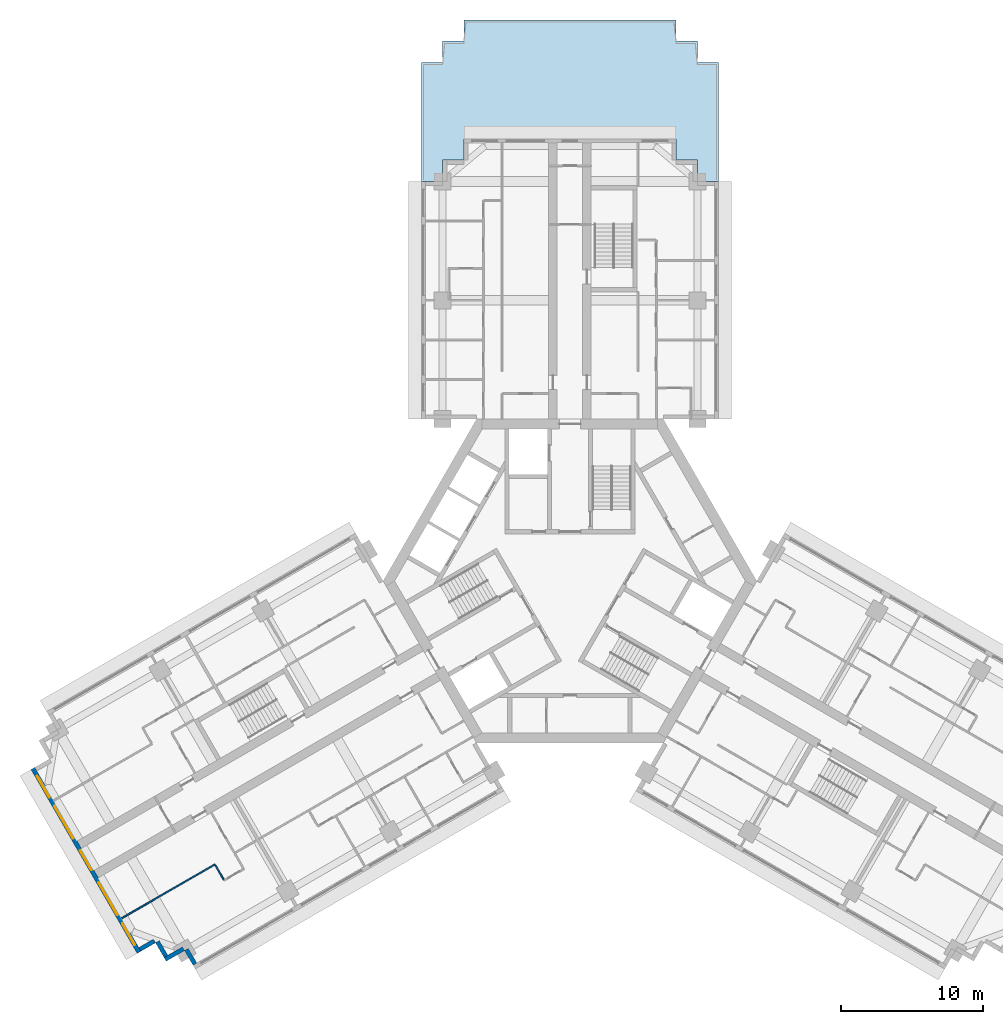
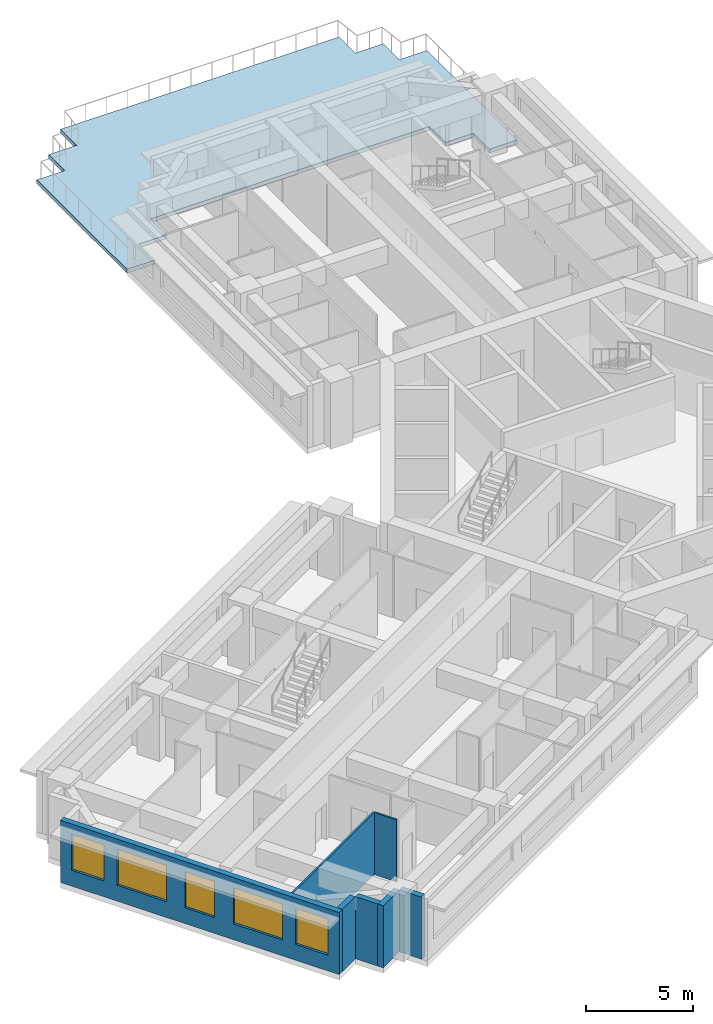
# One storey, part 2 of 12: 7 walls, 5 windows, 1 slab, 5 openings.
"""IFC4 building model written with IfcOpenShell, lengths in metres."""

import ifcopenshell
import ifcopenshell.guid

model = None  # the IFC model being written
_history = None  # IfcOwnerHistory: only IFC2X3 demands one
_inside = {}  # id of a spatial element -> (the spatial element, [elements in it])
_under = {}  # id of a project, library or spatial element -> (it, [spatial elements below it])
_declared = {}  # id of a project -> (the project, [libraries it declares])
_typed = {}  # id of a type object -> (the type object, [elements of that type])
_made_of = {}  # id of a material, layer set ... -> (it, [elements and type objects made of it])


def new_model(schema):
    """Start an empty IFC model of exactly this schema.

    Asked for "IFC4X3", IfcOpenShell would pick the latest addendum, in which some entities
    have other attributes; the version numbers below select the first issue.
    IFC2X3 requires an IfcOwnerHistory on every rooted entity: one is made here for all.
    """
    global model, _history
    if schema == "IFC4X3":
        model = ifcopenshell.file(schema_version=(4, 3, 0, 0))
    else:
        model = ifcopenshell.file(schema=schema)
    _inside.clear()
    _under.clear()
    _declared.clear()
    _typed.clear()
    _made_of.clear()
    _history = None
    if model.schema == "IFC2X3":
        org = make("IfcOrganization", Name="unknown")
        user = make(
            "IfcPersonAndOrganization",
            ThePerson=make("IfcPerson", FamilyName="unknown"),
            TheOrganization=org,
        )
        app = make(
            "IfcApplication",
            ApplicationDeveloper=org,
            Version="unknown",
            ApplicationFullName="unknown",
            ApplicationIdentifier="unknown",
        )
        _history = make(
            "IfcOwnerHistory",
            OwningUser=user,
            OwningApplication=app,
            ChangeAction="ADDED",
            CreationDate=0,
        )
    return model


def make(cls, **values):
    """One entity of the class cls with the attributes given. An attribute that is None is left unset."""
    return model.create_entity(
        cls, **{name: value for name, value in values.items() if value is not None}
    )


def rooted(cls, **values):
    """An entity with a GlobalId (a new one), such as an element, a storey or a relation."""
    return make(cls, GlobalId=ifcopenshell.guid.new(), OwnerHistory=_history, **values)


def si_unit(unit_type, name, prefix=None):
    """IfcSIUnit, for example si_unit("LENGTHUNIT", "METRE", prefix="MILLI")."""
    return make("IfcSIUnit", UnitType=unit_type, Prefix=prefix, Name=name)


def assignment(units):
    """IfcUnitAssignment: the units of a project."""
    return None if units is None else make("IfcUnitAssignment", Units=units)


def point(xyz):
    """IfcCartesianPoint."""
    return None if xyz is None else make("IfcCartesianPoint", Coordinates=xyz)


def direction(xyz):
    """IfcDirection."""
    return None if xyz is None else make("IfcDirection", DirectionRatios=xyz)


def frame(location, z_axis=None, x_axis=None):
    """IfcAxis2Placement3D, a coordinate frame: its origin and axes. An axis left out is left unset."""
    return make(
        "IfcAxis2Placement3D",
        Location=point(location),
        Axis=direction(z_axis),
        RefDirection=direction(x_axis),
    )


def frame_2d(location, x_axis=None):
    """IfcAxis2Placement2D, a coordinate frame in the plane: its origin and x axis."""
    return make(
        "IfcAxis2Placement2D", Location=point(location), RefDirection=direction(x_axis)
    )


def origin():
    """The frame at (0, 0, 0) with its axes left unset."""
    return frame((0.0, 0.0, 0.0))


def place(relative_to, where):
    """IfcLocalPlacement: puts the frame where relative to a parent placement (None: the world)."""
    return make(
        "IfcLocalPlacement", PlacementRelTo=relative_to, RelativePlacement=where
    )


def context(
    kind, dimensions, precision=None, world=None, true_north=None, identifier=None
):
    """IfcGeometricRepresentationContext, for example the 3D "Model" context."""
    return make(
        "IfcGeometricRepresentationContext",
        ContextIdentifier=identifier,
        ContextType=kind,
        CoordinateSpaceDimension=dimensions,
        Precision=precision,
        WorldCoordinateSystem=world,
        TrueNorth=true_north,
    )


def subcontext(parent, identifier, kind, view, scale=None):
    """IfcGeometricRepresentationSubContext, for example "Body" below "Model"."""
    return make(
        "IfcGeometricRepresentationSubContext",
        ContextIdentifier=identifier,
        ContextType=kind,
        ParentContext=parent,
        TargetScale=scale,
        TargetView=view,
    )


def project(units=None, contexts=None):
    """IfcProject with its units and contexts."""
    return rooted(
        "IfcProject",
        Name="project",
        RepresentationContexts=contexts,
        UnitsInContext=assignment(units),
    )


def spatial(cls, under=None, at=None, **own):
    """A site, building, storey or space (cls), placed at a placement, below another one or the project."""
    s = rooted(cls, ObjectPlacement=at, **own)
    if under is not None:
        _under.setdefault(under.id(), (under, []))[1].append(s)
    return s


def polyline(points):
    """IfcPolyline through the points."""
    return make("IfcPolyline", Points=[point(p) for p in points])


def profile(cls, at=None, kind="AREA", **sizes):
    """A parametric profile (cls). Its sizes go by their IFC names, for example OverallWidth=200.0."""
    return make(cls, ProfileType=kind, Position=at, **sizes)


def rectangle(**sizes):
    """IfcRectangleProfileDef."""
    return profile("IfcRectangleProfileDef", **sizes)


def outline(outer, holes=None, kind="AREA"):
    """IfcArbitraryClosedProfileDef: a profile drawn as a closed curve; with holes, ...WithVoids."""
    if holes is None:
        return make("IfcArbitraryClosedProfileDef", ProfileType=kind, OuterCurve=outer)
    return make(
        "IfcArbitraryProfileDefWithVoids",
        ProfileType=kind,
        OuterCurve=outer,
        InnerCurves=holes,
    )


def extrude(swept, where, along, depth):
    """IfcExtrudedAreaSolid: the profile swept, set in the frame where, extruded along a direction by depth."""
    return make(
        "IfcExtrudedAreaSolid",
        SweptArea=swept,
        Position=where,
        ExtrudedDirection=direction(along),
        Depth=depth,
    )


def shape(context_of_items, identifier, shape_type, items):
    """IfcShapeRepresentation: the items that make up one representation, for example the "Body"."""
    return make(
        "IfcShapeRepresentation",
        ContextOfItems=context_of_items,
        RepresentationIdentifier=identifier,
        RepresentationType=shape_type,
        Items=items,
    )


def material(Name=None, Category=None):
    """IfcMaterial."""
    return make("IfcMaterial", Name=Name, Category=Category)


def layer(
    of_material, thickness, ventilated=None, Name=None, Category=None, Priority=None
):
    """IfcMaterialLayer: one layer of a wall or slab, of a material (None: an air gap)."""
    return make(
        "IfcMaterialLayer",
        Material=of_material,
        LayerThickness=thickness,
        IsVentilated=ventilated,
        Name=Name,
        Category=Category,
        Priority=Priority,
    )


def layer_set(layers, Name=None):
    """IfcMaterialLayerSet."""
    return make("IfcMaterialLayerSet", MaterialLayers=layers, LayerSetName=Name)


def made_of(thing, what):
    """Note that an element or type object is made of a material, layer set ...; save() writes the relation."""
    if what is not None:
        _made_of.setdefault(what.id(), (what, []))[1].append(thing)
    return thing


def type_object(cls, material=None, **own):
    """A type object (cls), such as IfcWallType, which elements share."""
    return made_of(rooted(cls, **own), material)


def element(
    cls,
    number,
    at=None,
    inside=None,
    cuts=None,
    type_object=None,
    material=None,
    context=None,
    identifier="Body",
    shape_type=None,
    held_by="IfcProductDefinitionShape",
    body=None,
    shapes=None,
    **own,
):
    """One element of the class cls, such as IfcWall. Its Tag is "e" and its number.

    at: its placement. inside: the storey or other place that contains it. cuts: it is an
    opening in that element (IfcRelVoidsElement). A single representation is given by context,
    identifier, shape_type and body (its items); several are given by shapes. held_by: the class
    of the entity that holds the representations. save() writes the other relations.
    """
    e = rooted(cls, Tag="e%d" % number, ObjectPlacement=at, **own)
    if body is not None:
        shapes = [shape(context, identifier, shape_type, body)]
    if shapes is not None:
        e.Representation = make(held_by, Representations=shapes)
    if inside is not None:
        _inside.setdefault(inside.id(), (inside, []))[1].append(e)
    if cuts is not None:
        rooted(
            "IfcRelVoidsElement", RelatingBuildingElement=cuts, RelatedOpeningElement=e
        )
    if type_object is not None:
        _typed.setdefault(type_object.id(), (type_object, []))[1].append(e)
    return made_of(e, material)


def fill(opening, filler):
    """IfcRelFillsElement: the door or window that sits in an opening."""
    return rooted(
        "IfcRelFillsElement",
        RelatingOpeningElement=opening,
        RelatedBuildingElement=filler,
    )


def aggregate(whole, parts):
    """IfcRelAggregates: a whole, such as a stair, and the parts it consists of."""
    return rooted("IfcRelAggregates", RelatingObject=whole, RelatedObjects=parts)


def save(model, path):
    """Write the relations noted so far, then the file.

    IfcRelAggregates (storeys below a building ...), IfcRelContainedInSpatialStructure (elements
    in a storey), IfcRelDefinesByType, IfcRelAssociatesMaterial and IfcRelDeclares: one each for
    every whole, place, type object, material and project.
    """
    for whole, parts in _under.values():
        aggregate(whole, parts)
    for where, things in _inside.values():
        rooted(
            "IfcRelContainedInSpatialStructure",
            RelatedElements=things,
            RelatingStructure=where,
        )
    for kind, things in _typed.values():
        rooted("IfcRelDefinesByType", RelatedObjects=things, RelatingType=kind)
    for what, things in _made_of.values():
        rooted("IfcRelAssociatesMaterial", RelatedObjects=things, RelatingMaterial=what)
    for by, libraries in _declared.values():
        rooted("IfcRelDeclares", RelatingContext=by, RelatedDefinitions=libraries)
    model.write(path)


model = new_model("IFC4")

# Units and contexts
model_context = context("Model", 3, precision=1e-05, world=origin(), true_north=direction((0.0, 1.0)))
body_context = subcontext(model_context, "Body", "Model", "MODEL_VIEW")
ifc_project = project(units=[si_unit("LENGTHUNIT", "METRE"), si_unit("AREAUNIT", "SQUARE_METRE"), si_unit("VOLUMEUNIT", "CUBIC_METRE"), si_unit("PLANEANGLEUNIT", "RADIAN"), si_unit("MASSUNIT", "GRAM", prefix="KILO")], contexts=[model_context])

# Site, building, storey
site_placement = place(None, origin())
site = spatial("IfcSite", under=ifc_project, at=site_placement, CompositionType="ELEMENT")
building_placement = place(site_placement, origin())
building = spatial("IfcBuilding", under=site, at=building_placement, Name="Impinga Residences", CompositionType="ELEMENT")
storey_placement = place(building_placement, frame((0.0, 0.0, 188.5)))
storey = spatial("IfcBuildingStorey", under=building, at=storey_placement, Name="L46", CompositionType="ELEMENT", Elevation=188.5)

# Slab
ifc_material_1 = material(Name="Concrete C60/75", Category="concrete")
ifc_layer_1 = layer(ifc_material_1, 0.219970703125)
ifc_layer_set_1 = layer_set([ifc_layer_1], Name="Concrete C60/75")
slab_type = type_object("IfcSlabType", Name="TS2 setback terrace slab 220", PredefinedType="ROOF", material=ifc_layer_set_1)
slab_placement = place(storey_placement, frame((0.0, 0.0, -0.219970703125)))
element("IfcSlab", 1, at=slab_placement, inside=storey, type_object=slab_type, Name="Maintenance roof TS2 L46", PredefinedType="ROOF", context=body_context, shape_type="SweptSolid", body=[
    extrude(outline(polyline([(-10.5, 36.631591796875), (-9.0, 36.631591796875), (-9.0, 38.131591796875), (-7.5, 38.131591796875), (-7.5, 39.631591796875), (7.5, 39.631591796875), (7.5, 38.131591796875), (9.0, 38.131591796875), (9.0, 36.631591796875), (10.5, 36.631591796875), (10.5, 28.232421875), (9.0009765625, 28.232421875), (9.0009765625, 29.7314453125), (9.0009765625, 29.731689453125), (9.0009765625, 29.731689453125), (9.0009765625, 29.73193359375), (9.0009765625, 29.73193359375), (9.0009765625, 29.73193359375), (9.000732421875, 29.732177734375), (9.000732421875, 29.732177734375), (9.000732421875, 29.732177734375), (9.000732421875, 29.732421875), (9.00048828125, 29.732421875), (9.00048828125, 29.732421875), (9.00048828125, 29.732421875), (9.000244140625, 29.732421875), (9.000244140625, 29.732421875), (9.0, 29.732421875), (9.0, 29.732421875), (7.5009765625, 29.732421875), (7.5009765625, 31.2314453125), (7.5009765625, 31.231689453125), (7.5009765625, 31.231689453125), (7.5009765625, 31.23193359375), (7.5009765625, 31.23193359375), (7.5009765625, 31.23193359375), (7.500732421875, 31.232177734375), (7.500732421875, 31.232177734375), (7.500732421875, 31.232177734375), (7.500732421875, 31.232421875), (7.50048828125, 31.232421875), (7.50048828125, 31.232421875), (7.50048828125, 31.232421875), (7.500244140625, 31.232421875), (7.500244140625, 31.232421875), (7.5, 31.232421875), (7.5, 31.232421875), (-7.5, 31.232421875), (-7.5, 31.232421875), (-7.500244140625, 31.232421875), (-7.500244140625, 31.232421875), (-7.50048828125, 31.232421875), (-7.50048828125, 31.232421875), (-7.50048828125, 31.232421875), (-7.500732421875, 31.232421875), (-7.500732421875, 31.232177734375), (-7.500732421875, 31.232177734375), (-7.500732421875, 31.232177734375), (-7.5009765625, 31.23193359375), (-7.5009765625, 31.23193359375), (-7.5009765625, 31.23193359375), (-7.5009765625, 31.231689453125), (-7.5009765625, 31.231689453125), (-7.5009765625, 31.2314453125), (-7.5009765625, 29.732421875), (-9.0, 29.732421875), (-9.0, 29.732421875), (-9.000244140625, 29.732421875), (-9.000244140625, 29.732421875), (-9.00048828125, 29.732421875), (-9.00048828125, 29.732421875), (-9.00048828125, 29.732421875), (-9.000732421875, 29.732421875), (-9.000732421875, 29.732177734375), (-9.000732421875, 29.732177734375), (-9.000732421875, 29.732177734375), (-9.0009765625, 29.73193359375), (-9.0009765625, 29.73193359375), (-9.0009765625, 29.73193359375), (-9.0009765625, 29.731689453125), (-9.0009765625, 29.731689453125), (-9.0009765625, 29.7314453125), (-9.0009765625, 28.232421875), (-10.5, 28.232421875), (-10.5, 36.631591796875)])), origin(), (0.0, 0.0, 1.0), 0.219970703125),
])

# Walls
ifc_material_2 = material(Name="Terracotta rainscreen on blockwork", Category="masonry")
ifc_layer_2 = layer(ifc_material_2, 0.300048828125)
ifc_layer_set_2 = layer_set([ifc_layer_2], Name="EW1 external wall, terracotta rainscreen on blockwork 300")
wall_type_1 = type_object("IfcWallType", Name="EW1 external wall, terracotta rainscreen on blockwork 300", PredefinedType="SOLIDWALL", material=ifc_layer_set_2)
wall_1_placement = place(storey_placement, frame((-26.493896484375, -27.07421875, 0.0), z_axis=(0.0, 0.0, 1.0), x_axis=(-0.500033551112, 0.866006032174, 0.0)))
element("IfcWall", 2, at=wall_1_placement, inside=storey, type_object=wall_type_1, Name="External wall EW1 L46", PredefinedType="SOLIDWALL", context=body_context, shape_type="SweptSolid", body=[
    extrude(rectangle(XDim=1.2001953125, YDim=0.300048828125, at=frame_2d((0.60009765625, 0.0))), origin(), (0.0, 0.0, 1.0), 3.530029296875),
])
wall_2_placement = place(storey_placement, frame((-27.30322265625, -25.982666015625, 0.0), z_axis=(0.0, 0.0, 1.0), x_axis=(-0.866074087889, -0.499915667175, 0.0)))
element("IfcWall", 3, at=wall_2_placement, inside=storey, type_object=wall_type_1, Name="External wall EW1 L46", PredefinedType="SOLIDWALL", context=body_context, shape_type="SweptSolid", body=[
    extrude(rectangle(XDim=1.494873046875, YDim=0.300048828125, at=frame_2d((0.74755859375, 0.0))), origin(), (0.0, 0.0, 1.0), 3.530029296875),
])
wall_3_placement = place(storey_placement, frame((-28.54296875, -26.525146484375, 0.0), z_axis=(0.0, 0.0, 1.0), x_axis=(-0.500033551112, 0.866006032174, 0.0)))
element("IfcWall", 4, at=wall_3_placement, inside=storey, type_object=wall_type_1, Name="External wall EW1 L46", PredefinedType="SOLIDWALL", context=body_context, shape_type="SweptSolid", body=[
    extrude(rectangle(XDim=1.2001953125, YDim=0.300048828125, at=frame_2d((0.60009765625, 0.0))), origin(), (0.0, 0.0, 1.0), 3.530029296875),
])
wall_4_placement = place(storey_placement, frame((-29.352294921875, -25.43359375, 0.0), z_axis=(0.0, 0.0, 1.0), x_axis=(-0.866059708757, -0.499940577336, 0.0)))
element("IfcWall", 5, at=wall_4_placement, inside=storey, type_object=wall_type_1, Name="External wall EW1 L46", PredefinedType="SOLIDWALL", context=body_context, shape_type="SweptSolid", body=[
    extrude(rectangle(XDim=1.195068359375, YDim=0.300048828125, at=frame_2d((0.59765625, 0.0))), origin(), (0.0, 0.0, 1.0), 3.530029296875),
])

# Wall, openings, windows
wall_5_placement = place(storey_placement, frame((-30.44189453125, -26.23583984375, 0.0), z_axis=(0.0, 0.0, 1.0), x_axis=(-0.500004234368, 0.866022959057, 0.0)))
wall_5 = element("IfcWall", 6, at=wall_5_placement, inside=storey, type_object=wall_type_1, Name="External wall EW1 L46", PredefinedType="SOLIDWALL", context=body_context, shape_type="SweptSolid", body=[
    extrude(rectangle(XDim=14.999755859375, YDim=0.300048828125, at=frame_2d((7.5, 0.0))), origin(), (0.0, 0.0, 1.0), 3.530029296875),
])
opening_1_placement = place(wall_5_placement, frame((0.60009765625, 0.0, 0.89990234375)))
opening_1 = element("IfcOpeningElement", 7, at=opening_1_placement, cuts=wall_5, Name="Opening W1", PredefinedType="OPENING", context=body_context, shape_type="SweptSolid", body=[
    extrude(rectangle(XDim=1.75, YDim=2.050048828125, at=frame_2d((0.875, 1.02490234375))), frame((0.0, 0.159912109375, 0.0), z_axis=(0.0, -1.0, 0.0), x_axis=(1.0, 0.0, 0.0)), (0.0, 0.0, 1.0), 0.320068359375),
])
opening_2_placement = place(wall_5_placement, frame((3.050048828125, 0.0, 0.89990234375)))
opening_2 = element("IfcOpeningElement", 8, at=opening_2_placement, cuts=wall_5, Name="Opening W18", PredefinedType="OPENING", context=body_context, shape_type="SweptSolid", body=[
    extrude(rectangle(XDim=2.64990234375, YDim=2.050048828125, at=frame_2d((1.324951171875, 1.02490234375))), frame((0.0, 0.159912109375, 0.0), z_axis=(0.0, -1.0, 0.0), x_axis=(1.0, 0.0, 0.0)), (0.0, 0.0, 1.0), 0.320068359375),
])
opening_3_placement = place(wall_5_placement, frame((6.699951171875, 0.0, 0.89990234375)))
opening_3 = element("IfcOpeningElement", 9, at=opening_3_placement, cuts=wall_5, Name="Opening W19", PredefinedType="OPENING", context=body_context, shape_type="SweptSolid", body=[
    extrude(rectangle(XDim=1.60009765625, YDim=2.050048828125, at=frame_2d((0.800048828125, 1.02490234375))), frame((0.0, 0.159912109375, 0.0), z_axis=(0.0, -1.0, 0.0), x_axis=(1.0, 0.0, 0.0)), (0.0, 0.0, 1.0), 0.320068359375),
])
opening_4_placement = place(wall_5_placement, frame((9.300048828125, 0.0, 0.89990234375)))
opening_4 = element("IfcOpeningElement", 10, at=opening_4_placement, cuts=wall_5, Name="Opening W18", PredefinedType="OPENING", context=body_context, shape_type="SweptSolid", body=[
    extrude(rectangle(XDim=2.64990234375, YDim=2.050048828125, at=frame_2d((1.324951171875, 1.02490234375))), frame((0.0, 0.159912109375, 0.0), z_axis=(0.0, -1.0, 0.0), x_axis=(1.0, 0.0, 0.0)), (0.0, 0.0, 1.0), 0.320068359375),
])
opening_5_placement = place(wall_5_placement, frame((12.64990234375, 0.0, 0.89990234375)))
opening_5 = element("IfcOpeningElement", 11, at=opening_5_placement, cuts=wall_5, Name="Opening W1", PredefinedType="OPENING", context=body_context, shape_type="SweptSolid", body=[
    extrude(rectangle(XDim=1.75, YDim=2.050048828125, at=frame_2d((0.875, 1.02490234375))), frame((0.0, 0.159912109375, 0.0), z_axis=(0.0, -1.0, 0.0), x_axis=(1.0, 0.0, 0.0)), (0.0, 0.0, 1.0), 0.320068359375),
])
ifc_material_3 = material(Name="Aluminium window, clear double glazing", Category="aluminium")
window_type_1 = type_object("IfcWindowType", Name="W1 ribbon window 1750x2050", PartitioningType="SINGLE_PANEL", PredefinedType="WINDOW", material=ifc_material_3)
window_1_placement = place(opening_1_placement, origin())
window_1 = element("IfcWindow", 12, at=window_1_placement, inside=storey, type_object=window_type_1, Name="Window L46", OverallHeight=2.050048828125, OverallWidth=1.75, PartitioningType="SINGLE_PANEL", PredefinedType="WINDOW", context=body_context, shape_type="SweptSolid", body=[
    extrude(rectangle(XDim=1.75, YDim=2.050048828125, at=frame_2d((0.875, 1.02490234375))), frame((0.0, 0.030029296875, 0.0), z_axis=(0.0, -1.0, 0.0), x_axis=(1.0, 0.0, 0.0)), (0.0, 0.0, 1.0), 0.06005859375),
])
fill(opening_1, window_1)
window_2_placement = place(opening_5_placement, origin())
window_2 = element("IfcWindow", 13, at=window_2_placement, inside=storey, type_object=window_type_1, Name="Window L46", OverallHeight=2.050048828125, OverallWidth=1.75, PartitioningType="SINGLE_PANEL", PredefinedType="WINDOW", context=body_context, shape_type="SweptSolid", body=[
    extrude(rectangle(XDim=1.75, YDim=2.050048828125, at=frame_2d((0.875, 1.02490234375))), frame((0.0, 0.030029296875, 0.0), z_axis=(0.0, -1.0, 0.0), x_axis=(1.0, 0.0, 0.0)), (0.0, 0.0, 1.0), 0.06005859375),
])
fill(opening_5, window_2)
window_type_2 = type_object("IfcWindowType", Name="W18 ribbon window 2650x2050", PartitioningType="SINGLE_PANEL", PredefinedType="WINDOW", material=ifc_material_3)
window_3_placement = place(opening_2_placement, origin())
window_3 = element("IfcWindow", 14, at=window_3_placement, inside=storey, type_object=window_type_2, Name="Window L46", OverallHeight=2.050048828125, OverallWidth=2.64990234375, PartitioningType="SINGLE_PANEL", PredefinedType="WINDOW", context=body_context, shape_type="SweptSolid", body=[
    extrude(rectangle(XDim=2.64990234375, YDim=2.050048828125, at=frame_2d((1.324951171875, 1.02490234375))), frame((0.0, 0.030029296875, 0.0), z_axis=(0.0, -1.0, 0.0), x_axis=(1.0, 0.0, 0.0)), (0.0, 0.0, 1.0), 0.06005859375),
])
fill(opening_2, window_3)
window_4_placement = place(opening_4_placement, origin())
window_4 = element("IfcWindow", 15, at=window_4_placement, inside=storey, type_object=window_type_2, Name="Window L46", OverallHeight=2.050048828125, OverallWidth=2.64990234375, PartitioningType="SINGLE_PANEL", PredefinedType="WINDOW", context=body_context, shape_type="SweptSolid", body=[
    extrude(rectangle(XDim=2.64990234375, YDim=2.050048828125, at=frame_2d((1.324951171875, 1.02490234375))), frame((0.0, 0.030029296875, 0.0), z_axis=(0.0, -1.0, 0.0), x_axis=(1.0, 0.0, 0.0)), (0.0, 0.0, 1.0), 0.06005859375),
])
fill(opening_4, window_4)
window_type_3 = type_object("IfcWindowType", Name="W19 ribbon window 1600x2050", PartitioningType="SINGLE_PANEL", PredefinedType="WINDOW", material=ifc_material_3)
window_5_placement = place(opening_3_placement, origin())
window_5 = element("IfcWindow", 16, at=window_5_placement, inside=storey, type_object=window_type_3, Name="Window L46", OverallHeight=2.050048828125, OverallWidth=1.60009765625, PartitioningType="SINGLE_PANEL", PredefinedType="WINDOW", context=body_context, shape_type="SweptSolid", body=[
    extrude(rectangle(XDim=1.60009765625, YDim=2.050048828125, at=frame_2d((0.800048828125, 1.02490234375))), frame((0.0, 0.030029296875, 0.0), z_axis=(0.0, -1.0, 0.0), x_axis=(1.0, 0.0, 0.0)), (0.0, 0.0, 1.0), 0.06005859375),
])
fill(opening_3, window_5)

# Walls
ifc_material_4 = material(Name="Gypsum board on steel studs", Category="steel")
ifc_layer_3 = layer(ifc_material_4, 0.10009765625)
ifc_layer_set_3 = layer_set([ifc_layer_3], Name="Gypsum board on steel studs")
wall_type_2 = type_object("IfcWallType", Name="IP1 partition 100", PredefinedType="PARTITIONING", material=ifc_layer_set_3)
wall_6_placement = place(storey_placement, frame((-25.080322265625, -20.022705078125, 0.0), z_axis=(0.0, 0.0, 1.0), x_axis=(-0.866022425744, -0.500005158081, 0.0)))
element("IfcWall", 17, at=wall_6_placement, inside=storey, type_object=wall_type_2, Name="Partition L46-WA2:DIV1", PredefinedType="PARTITIONING", context=body_context, shape_type="SweptSolid", body=[
    extrude(rectangle(XDim=7.60009765625, YDim=0.10009765625, at=frame_2d((3.800048828125, 0.0))), origin(), (0.0, 0.0, 1.0), 3.530029296875),
])
wall_7_placement = place(storey_placement, frame((-25.055419921875, -20.06591796875, 0.0), z_axis=(0.0, 0.0, 1.0), x_axis=(0.500033551112, -0.866006032174, 0.0)))
element("IfcWall", 18, at=wall_7_placement, inside=storey, type_object=wall_type_2, Name="Partition L46-WA2:SE1", PredefinedType="PARTITIONING", context=body_context, shape_type="SweptSolid", body=[
    extrude(rectangle(XDim=1.2001953125, YDim=0.10009765625, at=frame_2d((0.60009765625, 0.0))), origin(), (0.0, 0.0, 1.0), 3.530029296875),
])

save(model, "model.ifc")
